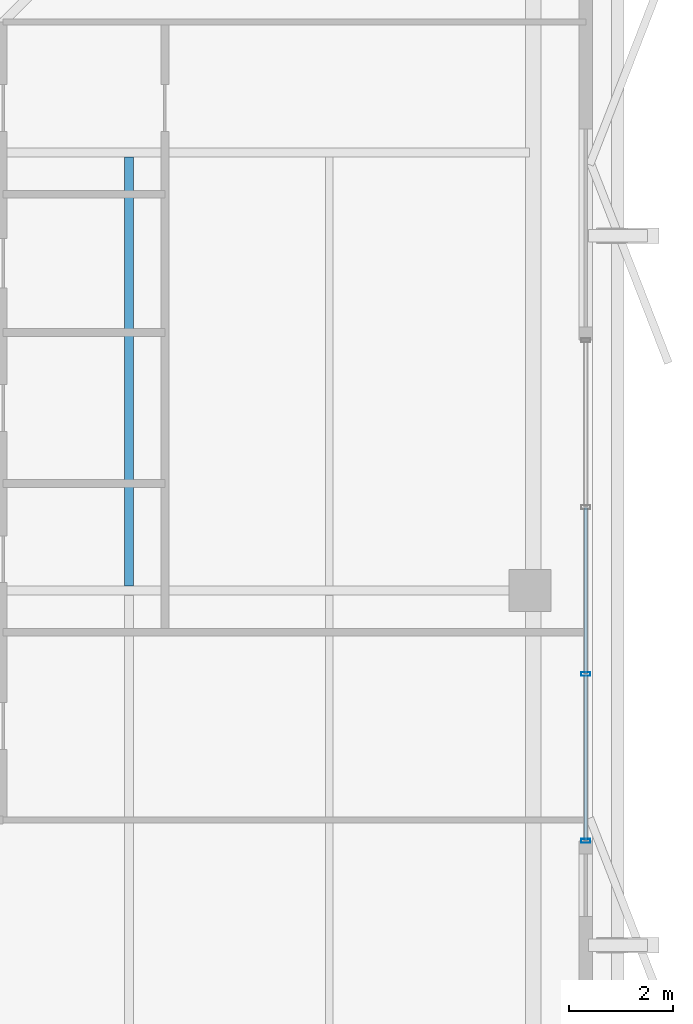
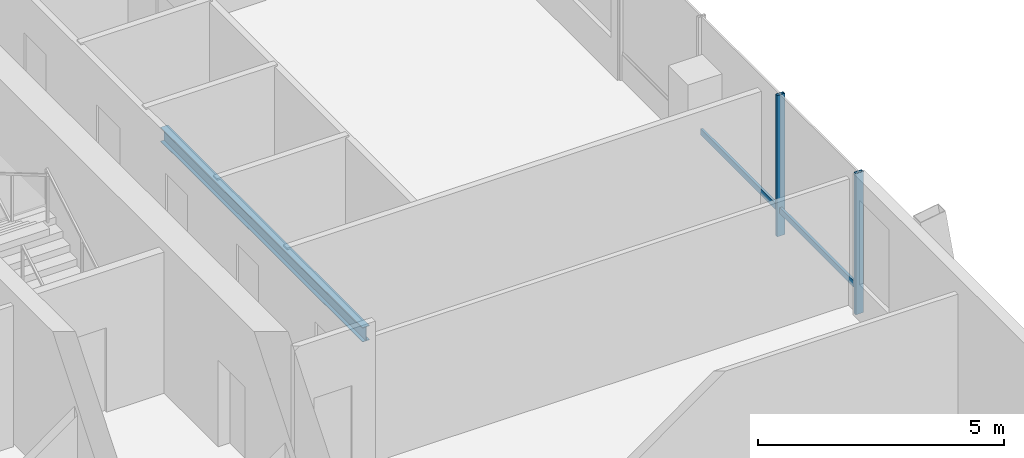
# One storey, part 7 of 17: 4 members, 1 beam, 1 element without a shape of its own.
"""IFC4 building model written with IfcOpenShell, lengths in metres."""

from ifc_helpers import new_model, si_unit, direction, frame, origin, origin_2d, place, context, subcontext, project, spatial, hollow_rectangle, i_section, extrude, material, layer, layer_set, material_profile, profile_set, type_object, element, aggregate, save


model = new_model("IFC4")

# Units and contexts
model_context = context("Model", 3, precision=1e-05, world=origin(), true_north=direction((0.0, 1.0)))
body_context = subcontext(model_context, "Body", "Model", "MODEL_VIEW")
ifc_project = project(units=[si_unit("LENGTHUNIT", "METRE"), si_unit("AREAUNIT", "SQUARE_METRE"), si_unit("VOLUMEUNIT", "CUBIC_METRE"), si_unit("PLANEANGLEUNIT", "RADIAN"), si_unit("MASSUNIT", "GRAM", prefix="KILO")], contexts=[model_context])

# Site, building, storey
site_placement = place(None, origin())
site = spatial("IfcSite", under=ifc_project, at=site_placement, CompositionType="ELEMENT")
building_placement = place(site_placement, origin())
building = spatial("IfcBuilding", under=site, at=building_placement, Name="Belovzor Exchange Tower", CompositionType="ELEMENT")
storey_placement = place(building_placement, frame((0.0, 0.0, 333.0)))
storey = spatial("IfcBuildingStorey", under=building, at=storey_placement, Name="L83", CompositionType="ELEMENT", Elevation=333.0)

# Beam
ifc_material_1 = material(Name="Steel S355", Category="steel")
ifc_material_profile_1 = material_profile(ifc_material_1, i_section(OverallWidth=0.169921875, OverallDepth=0.360107421875, WebThickness=0.008056640625, FlangeThickness=0.0126953125, at=origin_2d()))
ifc_profile_set_1 = profile_set([ifc_material_profile_1], Name="Steel S355")
beam_type = type_object("IfcBeamType", Name="Secondary Infill Floor Joist IPE 360", PredefinedType="BEAM", material=ifc_profile_set_1)
beam_placement = place(storey_placement, frame((42.114990234375, 28.889892578125, -0.419921875), z_axis=(0.0, 1.0, 0.0), x_axis=(-1.0, 0.0, 0.0)))
element("IfcBeam", 1, at=beam_placement, inside=storey, type_object=beam_type, Name="FJ-360 Secondary Infill Floor Joist IPE 360", PredefinedType="BEAM", context=body_context, shape_type="SweptSolid", body=[
    extrude(i_section(OverallWidth=0.169921875, OverallDepth=0.360107421875, WebThickness=0.008056640625, FlangeThickness=0.0126953125, at=origin_2d()), origin(), (0.0, 0.0, 1.0), 8.22021484375),
])

# Curtain wall, members
ifc_material_2 = material(Name="Anodised Aluminium Framing", Category="aluminium")
ifc_layer = layer(ifc_material_2, 0.179931640625)
ifc_layer_set = layer_set([ifc_layer], Name="Anodised Aluminium Framing")
curtain_wall_type = type_object("IfcCurtainWallType", Name="Recessed Loggia Low-Iron Triple-Glazed Curtain Wall", PredefinedType="NOTDEFINED", material=ifc_layer_set)
curtain_wall_placement = place(storey_placement, origin())
curtain_wall = element("IfcCurtainWall", 2, at=curtain_wall_placement, inside=storey, type_object=curtain_wall_type, Name="CW3 Recessed Loggia Low-Iron Triple-Glazed Curtain Wall L83", PredefinedType="NOTDEFINED")
ifc_material_3 = material(Name="Steel S355", Category="steel")
ifc_material_profile_2 = material_profile(ifc_material_3, hollow_rectangle(XDim=0.074951171875, YDim=0.179931640625, WallThickness=0.0048828125, at=origin_2d()))
ifc_profile_set_2 = profile_set([ifc_material_profile_2], Name="Steel S355")
member_type_1 = type_object("IfcMemberType", Name="Thermally Broken Curtain Wall Mullion 180x75", PredefinedType="MULLION", material=ifc_profile_set_2)
member_1_placement = place(storey_placement, frame((50.8701171875, 27.199951171875, 0.0), z_axis=(0.0, 0.0, 1.0), x_axis=(0.0, -1.0, 0.0)))
member_1 = element("IfcMember", 3, at=member_1_placement, type_object=member_type_1, Name="CW-M180 Curtain Wall Mullion 3", PredefinedType="MULLION", context=body_context, shape_type="SweptSolid", body=[
    extrude(hollow_rectangle(XDim=0.074951171875, YDim=0.179931640625, WallThickness=0.0048828125, at=origin_2d()), origin(), (0.0, 0.0, 1.0), 3.510009765625),
])
member_2_placement = place(storey_placement, frame((50.8701171875, 24.0, 0.0), z_axis=(0.0, 0.0, 1.0), x_axis=(0.0, -1.0, 0.0)))
member_2 = element("IfcMember", 4, at=member_2_placement, type_object=member_type_1, Name="CW-M180 Curtain Wall Mullion 4", PredefinedType="MULLION", context=body_context, shape_type="SweptSolid", body=[
    extrude(hollow_rectangle(XDim=0.074951171875, YDim=0.179931640625, WallThickness=0.0048828125, at=origin_2d()), origin(), (0.0, 0.0, 1.0), 3.510009765625),
])
ifc_material_4 = material(Name="Steel S355", Category="steel")
ifc_material_profile_3 = material_profile(ifc_material_4, hollow_rectangle(XDim=0.06005859375, YDim=0.14990234375, WallThickness=0.00390625, at=origin_2d()))
ifc_profile_set_3 = profile_set([ifc_material_profile_3], Name="Steel S355")
member_type_2 = type_object("IfcMemberType", Name="Thermally Broken Curtain Wall Transom 150x60", PredefinedType="USERDEFINED", material=ifc_profile_set_3)
member_3_placement = place(storey_placement, frame((50.8701171875, 30.39208984375, 0.632080078125), z_axis=(0.0, -1.0, 0.0), x_axis=(1.0, 0.0, 0.0)))
member_3 = element("IfcMember", 5, at=member_3_placement, type_object=member_type_2, Name="CW-T150 Curtain Wall Transom 2", ObjectType="TRANSOM", PredefinedType="USERDEFINED", context=body_context, shape_type="SweptSolid", body=[
    extrude(hollow_rectangle(XDim=0.06005859375, YDim=0.14990234375, WallThickness=0.00390625, at=origin_2d()), origin(), (0.0, 0.0, 1.0), 3.18408203125),
])
member_4_placement = place(storey_placement, frame((50.8701171875, 27.19189453125, 0.632080078125), z_axis=(0.0, -1.0, 0.0), x_axis=(1.0, 0.0, 0.0)))
member_4 = element("IfcMember", 6, at=member_4_placement, type_object=member_type_2, Name="CW-T150 Curtain Wall Transom 3", ObjectType="TRANSOM", PredefinedType="USERDEFINED", context=body_context, shape_type="SweptSolid", body=[
    extrude(hollow_rectangle(XDim=0.06005859375, YDim=0.14990234375, WallThickness=0.00390625, at=origin_2d()), origin(), (0.0, 0.0, 1.0), 3.183837890625),
])
aggregate(curtain_wall, [member_1, member_2, member_3, member_4])

save(model, "model.ifc")
